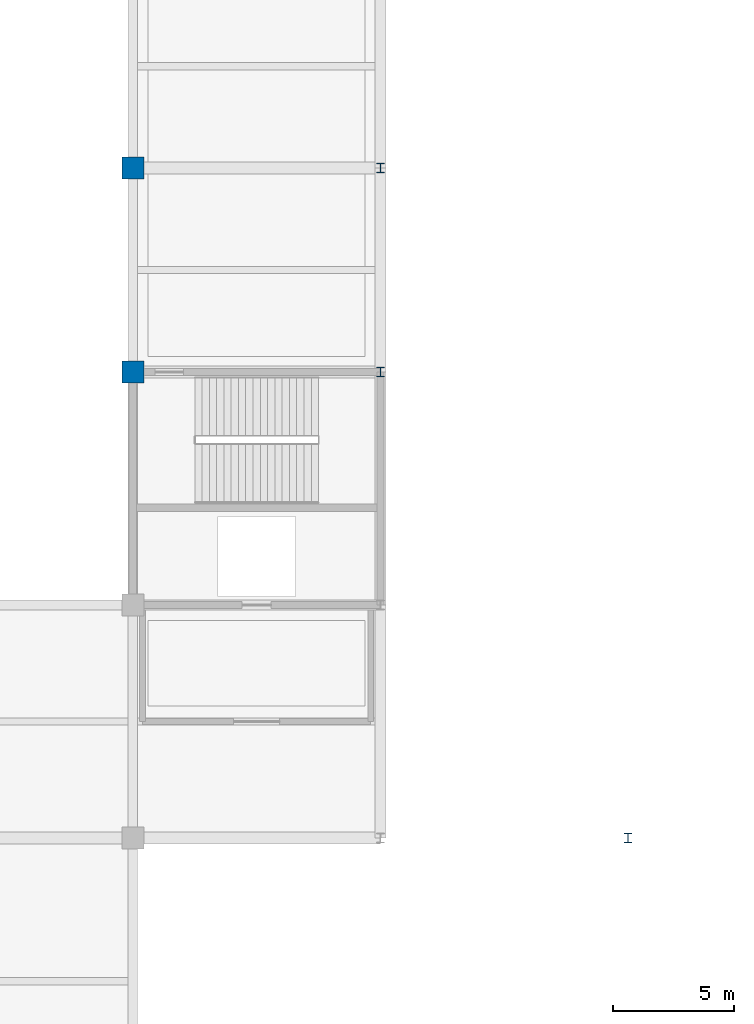
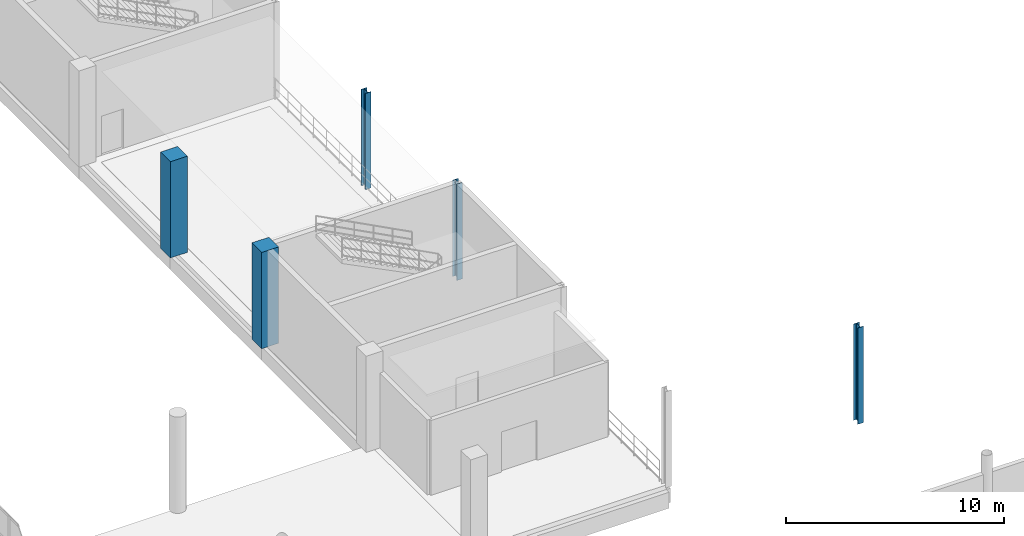
# One storey, part 15 of 175: 5 columns.
"""IFC4 building model written with IfcOpenShell, lengths in metres."""

from ifc_helpers import new_model, si_unit, direction, frame, origin, origin_2d, place, context, subcontext, project, spatial, rectangle, i_section, extrude, material, material_profile, profile_set, type_object, element, save


model = new_model("IFC4")

# Units and contexts
model_context = context("Model", 3, precision=1e-05, world=origin(), true_north=direction((0.0, 1.0)))
body_context = subcontext(model_context, "Body", "Model", "MODEL_VIEW")
ifc_project = project(units=[si_unit("LENGTHUNIT", "METRE"), si_unit("AREAUNIT", "SQUARE_METRE"), si_unit("VOLUMEUNIT", "CUBIC_METRE"), si_unit("PLANEANGLEUNIT", "RADIAN"), si_unit("MASSUNIT", "GRAM", prefix="KILO")], contexts=[model_context])

# Site, building, storey
site_placement = place(None, origin())
site = spatial("IfcSite", under=ifc_project, at=site_placement, CompositionType="ELEMENT")
building_placement = place(site_placement, origin())
building = spatial("IfcBuilding", under=site, at=building_placement, Name="Brelvane Convention Centre", CompositionType="ELEMENT")
storey_placement = place(building_placement, frame((0.0, 0.0, 5.39990234375)))
storey = spatial("IfcBuildingStorey", under=building, at=storey_placement, Name="L01", CompositionType="ELEMENT", Elevation=5.39990234375)

# Columns
ifc_material_1 = material(Name="Concrete M50", Category="concrete")
ifc_material_profile_1 = material_profile(ifc_material_1, rectangle(XDim=0.89990234375, YDim=0.89990234375, at=origin_2d()), Name="RC 900x900")
ifc_profile_set_1 = profile_set([ifc_material_profile_1], Name="Concrete M50")
column_type_1 = type_object("IfcColumnType", Name="RC Column C-RC2 (RC 900x900)", PredefinedType="COLUMN", material=ifc_profile_set_1)
for number, where, z_axis, x_axis, name in (
    (1, (163.199951171875, 118.800048828125, 0.0), (0.0, 0.0, 1.0), (1.0, 0.0, 0.0), "Column 17-M (L01)"),
    (2, (163.199951171875, 127.199951171875, 0.0), (0.0, 0.0, 1.0), (1.0, 0.0, 0.0), "Column 17-N (L01)"),
):
    element("IfcColumn", number, at=place(storey_placement, frame(where, z_axis=z_axis, x_axis=x_axis)), inside=storey, type_object=column_type_1, Name=name, PredefinedType="COLUMN", context=body_context, shape_type="SweptSolid", body=[
        extrude(rectangle(XDim=0.89990234375, YDim=0.89990234375, at=origin_2d()), origin(), (0.0, 0.0, 1.0), 5.400146484375),
    ])
ifc_material_2 = material(Name="Steel E350 (350 MPa)", Category="steel")
ifc_material_profile_2 = material_profile(ifc_material_2, i_section(OverallWidth=0.300048828125, OverallDepth=0.39990234375, WebThickness=0.013427734375, FlangeThickness=0.02392578125, FilletRadius=0.027099609375, at=origin_2d()), Name="WPB 400x300")
ifc_profile_set_2 = profile_set([ifc_material_profile_2], Name="Steel E350 (350 MPa)")
column_type_2 = type_object("IfcColumnType", Name="Steel Column C-ST7 (WPB 400x300)", PredefinedType="COLUMN", material=ifc_profile_set_2)
for number, where, z_axis, x_axis, name in (
    (3, (173.39990234375, 118.800048828125, 0.0), (0.0, 0.0, 1.0), (1.0, 0.0, 0.0), "Column 18-M (L01)"),
    (4, (173.39990234375, 127.199951171875, 0.0), (0.0, 0.0, 1.0), (1.0, 0.0, 0.0), "Column 18-N (L01)"),
    (5, (183.60009765625, 99.60009765625, 0.0), (0.0, 0.0, 1.0), (1.0, 0.0, 0.0), "Column 19-K (L01)"),
):
    element("IfcColumn", number, at=place(storey_placement, frame(where, z_axis=z_axis, x_axis=x_axis)), inside=storey, type_object=column_type_2, Name=name, PredefinedType="COLUMN", context=body_context, shape_type="SweptSolid", body=[
        extrude(i_section(OverallWidth=0.300048828125, OverallDepth=0.39990234375, WebThickness=0.013427734375, FlangeThickness=0.02392578125, FilletRadius=0.027099609375, at=origin_2d()), origin(), (0.0, 0.0, 1.0), 5.400146484375),
    ])

save(model, "model.ifc")
